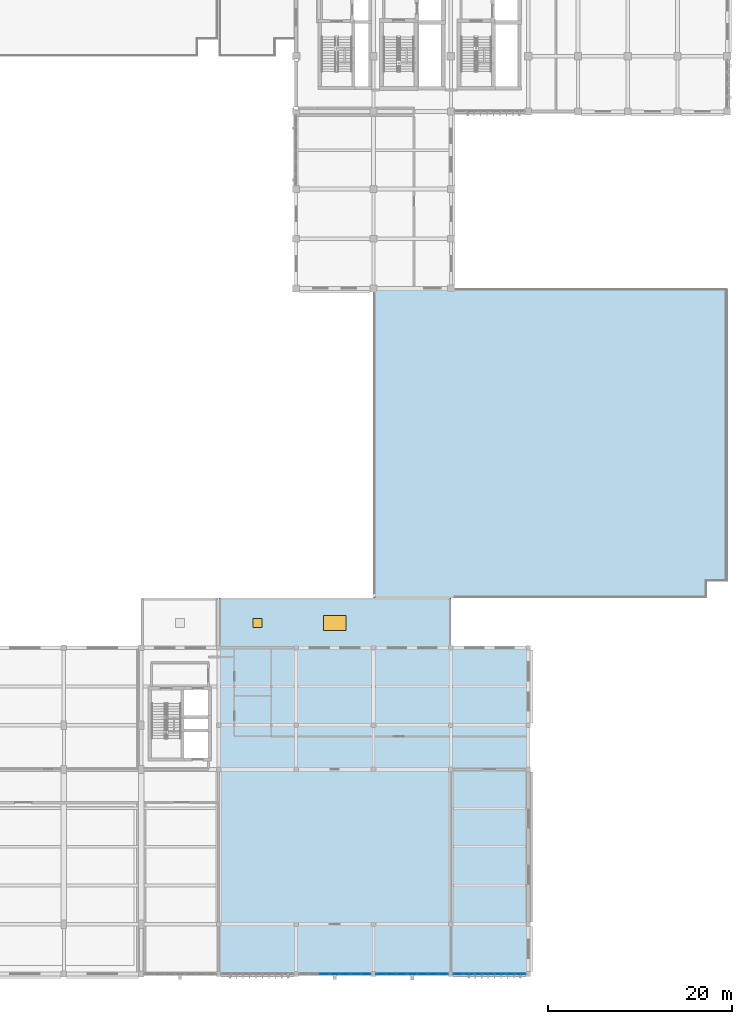
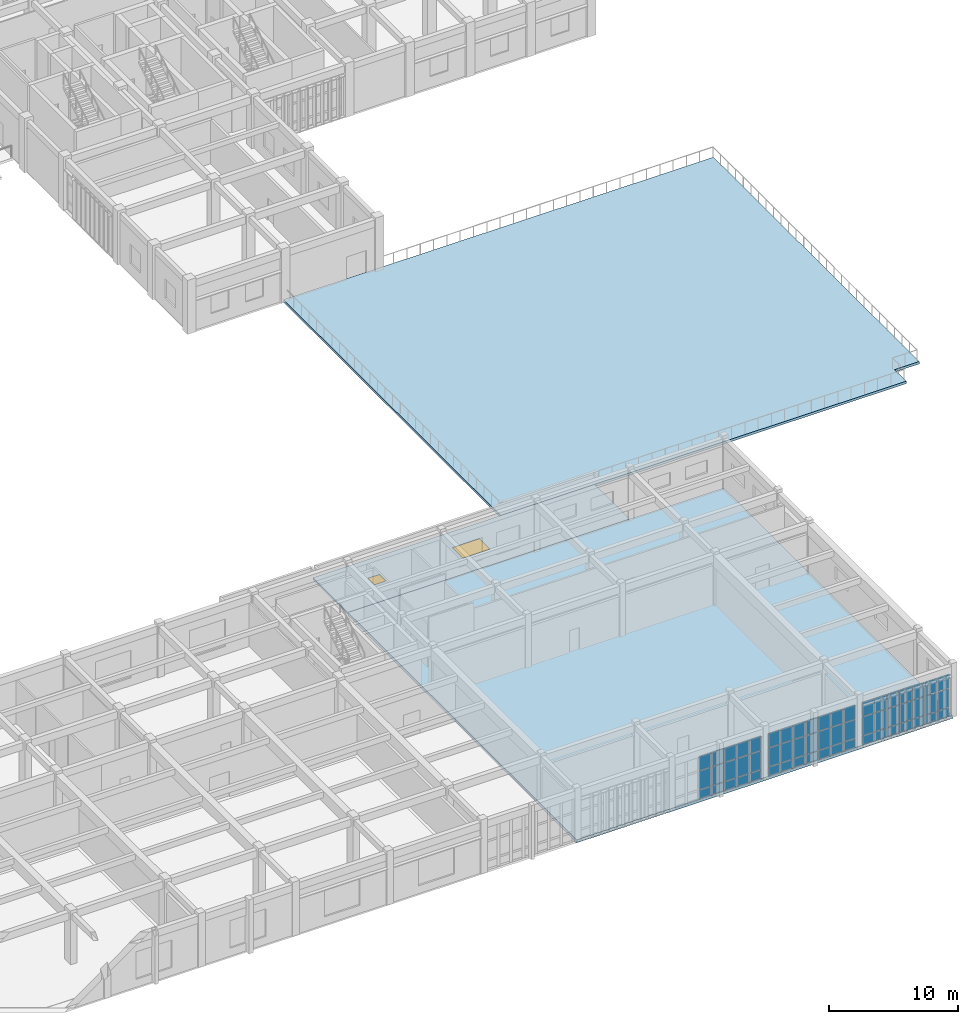
# One storey, part 63 of 93: 57 plates, 3 slabs, 1 door, 1 window, 2 openings, 3 elements without a shape of their own.
"""IFC4 building model written with IfcOpenShell, lengths in metres."""

from ifc_helpers import new_model, si_unit, direction, frame, origin, origin_2d, place, context, subcontext, project, spatial, polyline, rectangle, outline, extrude, material, layer, layer_set, type_object, element, fill, aggregate, save


model = new_model("IFC4")

# Units and contexts
model_context = context("Model", 3, precision=1e-05, world=origin(), true_north=direction((0.0, 1.0)))
body_context = subcontext(model_context, "Body", "Model", "MODEL_VIEW")
ifc_project = project(units=[si_unit("LENGTHUNIT", "METRE"), si_unit("AREAUNIT", "SQUARE_METRE"), si_unit("VOLUMEUNIT", "CUBIC_METRE"), si_unit("PLANEANGLEUNIT", "RADIAN"), si_unit("MASSUNIT", "GRAM", prefix="KILO")], contexts=[model_context])

# Site, building, storey
site_placement = place(None, origin())
site = spatial("IfcSite", under=ifc_project, at=site_placement, CompositionType="ELEMENT")
building_placement = place(site_placement, origin())
building = spatial("IfcBuilding", under=site, at=building_placement, Name="Krzemoval Escarpment Law Courts", CompositionType="ELEMENT")
storey_placement = place(building_placement, frame((0.0, 0.0, 10.199951171875)))
storey = spatial("IfcBuildingStorey", under=building, at=storey_placement, Name="L02", CompositionType="ELEMENT", Elevation=10.199951171875)

# Curtain wall, plates
ifc_material_1 = material(Name="Aluminium 6063-T6", Category="aluminium")
ifc_layer_1 = layer(ifc_material_1, 0.239990234375)
ifc_layer_set_1 = layer_set([ifc_layer_1], Name="Aluminium 6063-T6")
curtain_wall_type = type_object("IfcCurtainWallType", Name="CW-LIBR-4800", PredefinedType="USERDEFINED", material=ifc_layer_set_1)
curtain_wall_1_placement = place(storey_placement, origin())
curtain_wall_1 = element("IfcCurtainWall", 1, at=curtain_wall_1_placement, inside=storey, type_object=curtain_wall_type, Name="Unitised Curtain Wall FCW-L02-081", ObjectType="UNITISED_CURTAIN_WALL", PredefinedType="USERDEFINED")
ifc_material_2 = material(Name="Triple Glazing IGU", Category="glass")
ifc_layer_2 = layer(ifc_material_2, 0.048095703125)
ifc_layer_set_2 = layer_set([ifc_layer_2], Name="Triple Glazing IGU")
plate_type = type_object("IfcPlateType", Name="CWP-GLZ-48", PredefinedType="CURTAIN_PANEL", material=ifc_layer_set_2)
plate_1_placement = place(storey_placement, frame((150.366943359375, 0.0, 0.074951171875), z_axis=(0.0, 0.0, 1.0), x_axis=(-1.0, 0.0, 0.0)))
plate_1 = element("IfcPlate", 2, at=plate_1_placement, type_object=plate_type, Name="FCW-L02-081 panel 1.1", PredefinedType="CURTAIN_PANEL", context=body_context, shape_type="SweptSolid", body=[
    extrude(rectangle(XDim=1.01611328125, YDim=0.048095703125, at=origin_2d()), origin(), (0.0, 0.0, 1.0), 0.78759765625),
])
plate_2_placement = place(storey_placement, frame((150.366943359375, 0.0, 0.9375), z_axis=(0.0, 0.0, 1.0), x_axis=(-1.0, 0.0, 0.0)))
plate_2 = element("IfcPlate", 3, at=plate_2_placement, type_object=plate_type, Name="FCW-L02-081 panel 1.2", PredefinedType="CURTAIN_PANEL", context=body_context, shape_type="SweptSolid", body=[
    extrude(rectangle(XDim=1.01611328125, YDim=0.048095703125, at=origin_2d()), origin(), (0.0, 0.0, 1.0), 1.72509765625),
])
plate_3_placement = place(storey_placement, frame((150.366943359375, 0.0, 2.737548828125), z_axis=(0.0, 0.0, 1.0), x_axis=(-1.0, 0.0, 0.0)))
plate_3 = element("IfcPlate", 4, at=plate_3_placement, type_object=plate_type, Name="FCW-L02-081 panel 1.3", PredefinedType="CURTAIN_PANEL", context=body_context, shape_type="SweptSolid", body=[
    extrude(rectangle(XDim=1.01611328125, YDim=0.048095703125, at=origin_2d()), origin(), (0.0, 0.0, 1.0), 1.3076171875),
])
plate_4_placement = place(storey_placement, frame((149.257080078125, 0.0, 0.074951171875), z_axis=(0.0, 0.0, 1.0), x_axis=(-1.0, 0.0, 0.0)))
plate_4 = element("IfcPlate", 5, at=plate_4_placement, type_object=plate_type, Name="FCW-L02-081 panel 2.1", PredefinedType="CURTAIN_PANEL", context=body_context, shape_type="SweptSolid", body=[
    extrude(rectangle(XDim=1.053466796875, YDim=0.048095703125, at=origin_2d()), origin(), (0.0, 0.0, 1.0), 0.78759765625),
])
plate_5_placement = place(storey_placement, frame((149.257080078125, 0.0, 0.9375), z_axis=(0.0, 0.0, 1.0), x_axis=(-1.0, 0.0, 0.0)))
plate_5 = element("IfcPlate", 6, at=plate_5_placement, type_object=plate_type, Name="FCW-L02-081 panel 2.2", PredefinedType="CURTAIN_PANEL", context=body_context, shape_type="SweptSolid", body=[
    extrude(rectangle(XDim=1.053466796875, YDim=0.048095703125, at=origin_2d()), origin(), (0.0, 0.0, 1.0), 1.72509765625),
])
plate_6_placement = place(storey_placement, frame((149.257080078125, 0.0, 2.737548828125), z_axis=(0.0, 0.0, 1.0), x_axis=(-1.0, 0.0, 0.0)))
plate_6 = element("IfcPlate", 7, at=plate_6_placement, type_object=plate_type, Name="FCW-L02-081 panel 2.3", PredefinedType="CURTAIN_PANEL", context=body_context, shape_type="SweptSolid", body=[
    extrude(rectangle(XDim=1.053466796875, YDim=0.048095703125, at=origin_2d()), origin(), (0.0, 0.0, 1.0), 1.3076171875),
])
plate_7_placement = place(storey_placement, frame((148.128662109375, 0.0, 0.074951171875), z_axis=(0.0, 0.0, 1.0), x_axis=(-1.0, 0.0, 0.0)))
plate_7 = element("IfcPlate", 8, at=plate_7_placement, type_object=plate_type, Name="FCW-L02-081 panel 3.1", PredefinedType="CURTAIN_PANEL", context=body_context, shape_type="SweptSolid", body=[
    extrude(rectangle(XDim=1.053466796875, YDim=0.048095703125, at=origin_2d()), origin(), (0.0, 0.0, 1.0), 0.78759765625),
])
plate_8_placement = place(storey_placement, frame((148.128662109375, 0.0, 0.9375), z_axis=(0.0, 0.0, 1.0), x_axis=(-1.0, 0.0, 0.0)))
plate_8 = element("IfcPlate", 9, at=plate_8_placement, type_object=plate_type, Name="FCW-L02-081 panel 3.2", PredefinedType="CURTAIN_PANEL", context=body_context, shape_type="SweptSolid", body=[
    extrude(rectangle(XDim=1.053466796875, YDim=0.048095703125, at=origin_2d()), origin(), (0.0, 0.0, 1.0), 1.72509765625),
])
plate_9_placement = place(storey_placement, frame((148.128662109375, 0.0, 2.737548828125), z_axis=(0.0, 0.0, 1.0), x_axis=(-1.0, 0.0, 0.0)))
plate_9 = element("IfcPlate", 10, at=plate_9_placement, type_object=plate_type, Name="FCW-L02-081 panel 3.3", PredefinedType="CURTAIN_PANEL", context=body_context, shape_type="SweptSolid", body=[
    extrude(rectangle(XDim=1.053466796875, YDim=0.048095703125, at=origin_2d()), origin(), (0.0, 0.0, 1.0), 1.3076171875),
])
plate_10_placement = place(storey_placement, frame((147.0, 0.0, 0.074951171875), z_axis=(0.0, 0.0, 1.0), x_axis=(-1.0, 0.0, 0.0)))
plate_10 = element("IfcPlate", 11, at=plate_10_placement, type_object=plate_type, Name="FCW-L02-081 panel 4.1", PredefinedType="CURTAIN_PANEL", context=body_context, shape_type="SweptSolid", body=[
    extrude(rectangle(XDim=1.053466796875, YDim=0.048095703125, at=origin_2d()), origin(), (0.0, 0.0, 1.0), 0.78759765625),
])
plate_11_placement = place(storey_placement, frame((147.0, 0.0, 0.9375), z_axis=(0.0, 0.0, 1.0), x_axis=(-1.0, 0.0, 0.0)))
plate_11 = element("IfcPlate", 12, at=plate_11_placement, type_object=plate_type, Name="FCW-L02-081 panel 4.2", PredefinedType="CURTAIN_PANEL", context=body_context, shape_type="SweptSolid", body=[
    extrude(rectangle(XDim=1.053466796875, YDim=0.048095703125, at=origin_2d()), origin(), (0.0, 0.0, 1.0), 1.72509765625),
])
plate_12_placement = place(storey_placement, frame((147.0, 0.0, 2.737548828125), z_axis=(0.0, 0.0, 1.0), x_axis=(-1.0, 0.0, 0.0)))
plate_12 = element("IfcPlate", 13, at=plate_12_placement, type_object=plate_type, Name="FCW-L02-081 panel 4.3", PredefinedType="CURTAIN_PANEL", context=body_context, shape_type="SweptSolid", body=[
    extrude(rectangle(XDim=1.053466796875, YDim=0.048095703125, at=origin_2d()), origin(), (0.0, 0.0, 1.0), 1.3076171875),
])
plate_13_placement = place(storey_placement, frame((145.871337890625, 0.0, 0.074951171875), z_axis=(0.0, 0.0, 1.0), x_axis=(-1.0, 0.0, 0.0)))
plate_13 = element("IfcPlate", 14, at=plate_13_placement, type_object=plate_type, Name="FCW-L02-081 panel 5.1", PredefinedType="CURTAIN_PANEL", context=body_context, shape_type="SweptSolid", body=[
    extrude(rectangle(XDim=1.053466796875, YDim=0.048095703125, at=origin_2d()), origin(), (0.0, 0.0, 1.0), 0.78759765625),
])
plate_14_placement = place(storey_placement, frame((145.871337890625, 0.0, 0.9375), z_axis=(0.0, 0.0, 1.0), x_axis=(-1.0, 0.0, 0.0)))
plate_14 = element("IfcPlate", 15, at=plate_14_placement, type_object=plate_type, Name="FCW-L02-081 panel 5.2", PredefinedType="CURTAIN_PANEL", context=body_context, shape_type="SweptSolid", body=[
    extrude(rectangle(XDim=1.053466796875, YDim=0.048095703125, at=origin_2d()), origin(), (0.0, 0.0, 1.0), 1.72509765625),
])
plate_15_placement = place(storey_placement, frame((145.871337890625, 0.0, 2.737548828125), z_axis=(0.0, 0.0, 1.0), x_axis=(-1.0, 0.0, 0.0)))
plate_15 = element("IfcPlate", 16, at=plate_15_placement, type_object=plate_type, Name="FCW-L02-081 panel 5.3", PredefinedType="CURTAIN_PANEL", context=body_context, shape_type="SweptSolid", body=[
    extrude(rectangle(XDim=1.053466796875, YDim=0.048095703125, at=origin_2d()), origin(), (0.0, 0.0, 1.0), 1.3076171875),
])
plate_16_placement = place(storey_placement, frame((144.742919921875, 0.0, 0.074951171875), z_axis=(0.0, 0.0, 1.0), x_axis=(-1.0, 0.0, 0.0)))
plate_16 = element("IfcPlate", 17, at=plate_16_placement, type_object=plate_type, Name="FCW-L02-081 panel 6.1", PredefinedType="CURTAIN_PANEL", context=body_context, shape_type="SweptSolid", body=[
    extrude(rectangle(XDim=1.053466796875, YDim=0.048095703125, at=origin_2d()), origin(), (0.0, 0.0, 1.0), 0.78759765625),
])
plate_17_placement = place(storey_placement, frame((144.742919921875, 0.0, 0.9375), z_axis=(0.0, 0.0, 1.0), x_axis=(-1.0, 0.0, 0.0)))
plate_17 = element("IfcPlate", 18, at=plate_17_placement, type_object=plate_type, Name="FCW-L02-081 panel 6.2", PredefinedType="CURTAIN_PANEL", context=body_context, shape_type="SweptSolid", body=[
    extrude(rectangle(XDim=1.053466796875, YDim=0.048095703125, at=origin_2d()), origin(), (0.0, 0.0, 1.0), 1.72509765625),
])
plate_18_placement = place(storey_placement, frame((144.742919921875, 0.0, 2.737548828125), z_axis=(0.0, 0.0, 1.0), x_axis=(-1.0, 0.0, 0.0)))
plate_18 = element("IfcPlate", 19, at=plate_18_placement, type_object=plate_type, Name="FCW-L02-081 panel 6.3", PredefinedType="CURTAIN_PANEL", context=body_context, shape_type="SweptSolid", body=[
    extrude(rectangle(XDim=1.053466796875, YDim=0.048095703125, at=origin_2d()), origin(), (0.0, 0.0, 1.0), 1.3076171875),
])
plate_19_placement = place(storey_placement, frame((143.633056640625, 0.0, 0.074951171875), z_axis=(0.0, 0.0, 1.0), x_axis=(-1.0, 0.0, 0.0)))
plate_19 = element("IfcPlate", 20, at=plate_19_placement, type_object=plate_type, Name="FCW-L02-081 panel 7.1", PredefinedType="CURTAIN_PANEL", context=body_context, shape_type="SweptSolid", body=[
    extrude(rectangle(XDim=1.01611328125, YDim=0.048095703125, at=origin_2d()), origin(), (0.0, 0.0, 1.0), 0.78759765625),
])
plate_20_placement = place(storey_placement, frame((143.633056640625, 0.0, 0.9375), z_axis=(0.0, 0.0, 1.0), x_axis=(-1.0, 0.0, 0.0)))
plate_20 = element("IfcPlate", 21, at=plate_20_placement, type_object=plate_type, Name="FCW-L02-081 panel 7.2", PredefinedType="CURTAIN_PANEL", context=body_context, shape_type="SweptSolid", body=[
    extrude(rectangle(XDim=1.01611328125, YDim=0.048095703125, at=origin_2d()), origin(), (0.0, 0.0, 1.0), 1.72509765625),
])
plate_21_placement = place(storey_placement, frame((143.633056640625, 0.0, 2.737548828125), z_axis=(0.0, 0.0, 1.0), x_axis=(-1.0, 0.0, 0.0)))
plate_21 = element("IfcPlate", 22, at=plate_21_placement, type_object=plate_type, Name="FCW-L02-081 panel 7.3", PredefinedType="CURTAIN_PANEL", context=body_context, shape_type="SweptSolid", body=[
    extrude(rectangle(XDim=1.01611328125, YDim=0.048095703125, at=origin_2d()), origin(), (0.0, 0.0, 1.0), 1.3076171875),
])
aggregate(curtain_wall_1, [plate_1, plate_2, plate_3, plate_4, plate_5, plate_6, plate_7, plate_8, plate_9, plate_10, plate_11, plate_12, plate_13, plate_14, plate_15, plate_16, plate_17, plate_18, plate_19, plate_20, plate_21])

curtain_wall_2_placement = place(storey_placement, origin())
curtain_wall_2 = element("IfcCurtainWall", 23, at=curtain_wall_2_placement, inside=storey, type_object=curtain_wall_type, Name="Unitised Curtain Wall FCW-L02-082", ObjectType="UNITISED_CURTAIN_WALL", PredefinedType="USERDEFINED")
plate_22_placement = place(storey_placement, frame((141.967041015625, 0.0, 0.074951171875), z_axis=(0.0, 0.0, 1.0), x_axis=(-1.0, 0.0, 0.0)))
plate_22 = element("IfcPlate", 24, at=plate_22_placement, type_object=plate_type, Name="FCW-L02-082 panel 1.1", PredefinedType="CURTAIN_PANEL", context=body_context, shape_type="SweptSolid", body=[
    extrude(rectangle(XDim=1.01611328125, YDim=0.048095703125, at=origin_2d()), origin(), (0.0, 0.0, 1.0), 0.78759765625),
])
plate_23_placement = place(storey_placement, frame((141.967041015625, 0.0, 0.9375), z_axis=(0.0, 0.0, 1.0), x_axis=(-1.0, 0.0, 0.0)))
plate_23 = element("IfcPlate", 25, at=plate_23_placement, type_object=plate_type, Name="FCW-L02-082 panel 1.2", PredefinedType="CURTAIN_PANEL", context=body_context, shape_type="SweptSolid", body=[
    extrude(rectangle(XDim=1.01611328125, YDim=0.048095703125, at=origin_2d()), origin(), (0.0, 0.0, 1.0), 1.72509765625),
])
plate_24_placement = place(storey_placement, frame((141.967041015625, 0.0, 2.737548828125), z_axis=(0.0, 0.0, 1.0), x_axis=(-1.0, 0.0, 0.0)))
plate_24 = element("IfcPlate", 26, at=plate_24_placement, type_object=plate_type, Name="FCW-L02-082 panel 1.3", PredefinedType="CURTAIN_PANEL", context=body_context, shape_type="SweptSolid", body=[
    extrude(rectangle(XDim=1.01611328125, YDim=0.048095703125, at=origin_2d()), origin(), (0.0, 0.0, 1.0), 1.3076171875),
])
plate_25_placement = place(storey_placement, frame((140.857177734375, 0.0, 0.074951171875), z_axis=(0.0, 0.0, 1.0), x_axis=(-1.0, 0.0, 0.0)))
plate_25 = element("IfcPlate", 27, at=plate_25_placement, type_object=plate_type, Name="FCW-L02-082 panel 2.1", PredefinedType="CURTAIN_PANEL", context=body_context, shape_type="SweptSolid", body=[
    extrude(rectangle(XDim=1.053466796875, YDim=0.048095703125, at=origin_2d()), origin(), (0.0, 0.0, 1.0), 0.78759765625),
])
plate_26_placement = place(storey_placement, frame((140.857177734375, 0.0, 0.9375), z_axis=(0.0, 0.0, 1.0), x_axis=(-1.0, 0.0, 0.0)))
plate_26 = element("IfcPlate", 28, at=plate_26_placement, type_object=plate_type, Name="FCW-L02-082 panel 2.2", PredefinedType="CURTAIN_PANEL", context=body_context, shape_type="SweptSolid", body=[
    extrude(rectangle(XDim=1.053466796875, YDim=0.048095703125, at=origin_2d()), origin(), (0.0, 0.0, 1.0), 1.72509765625),
])
plate_27_placement = place(storey_placement, frame((140.857177734375, 0.0, 2.737548828125), z_axis=(0.0, 0.0, 1.0), x_axis=(-1.0, 0.0, 0.0)))
plate_27 = element("IfcPlate", 29, at=plate_27_placement, type_object=plate_type, Name="FCW-L02-082 panel 2.3", PredefinedType="CURTAIN_PANEL", context=body_context, shape_type="SweptSolid", body=[
    extrude(rectangle(XDim=1.053466796875, YDim=0.048095703125, at=origin_2d()), origin(), (0.0, 0.0, 1.0), 1.3076171875),
])
plate_28_placement = place(storey_placement, frame((139.728515625, 0.0, 0.074951171875), z_axis=(0.0, 0.0, 1.0), x_axis=(-1.0, 0.0, 0.0)))
plate_28 = element("IfcPlate", 30, at=plate_28_placement, type_object=plate_type, Name="FCW-L02-082 panel 3.1", PredefinedType="CURTAIN_PANEL", context=body_context, shape_type="SweptSolid", body=[
    extrude(rectangle(XDim=1.053466796875, YDim=0.048095703125, at=origin_2d()), origin(), (0.0, 0.0, 1.0), 0.78759765625),
])
plate_29_placement = place(storey_placement, frame((139.728515625, 0.0, 0.9375), z_axis=(0.0, 0.0, 1.0), x_axis=(-1.0, 0.0, 0.0)))
plate_29 = element("IfcPlate", 31, at=plate_29_placement, type_object=plate_type, Name="FCW-L02-082 panel 3.2", PredefinedType="CURTAIN_PANEL", context=body_context, shape_type="SweptSolid", body=[
    extrude(rectangle(XDim=1.053466796875, YDim=0.048095703125, at=origin_2d()), origin(), (0.0, 0.0, 1.0), 1.72509765625),
])
plate_30_placement = place(storey_placement, frame((139.728515625, 0.0, 2.737548828125), z_axis=(0.0, 0.0, 1.0), x_axis=(-1.0, 0.0, 0.0)))
plate_30 = element("IfcPlate", 32, at=plate_30_placement, type_object=plate_type, Name="FCW-L02-082 panel 3.3", PredefinedType="CURTAIN_PANEL", context=body_context, shape_type="SweptSolid", body=[
    extrude(rectangle(XDim=1.053466796875, YDim=0.048095703125, at=origin_2d()), origin(), (0.0, 0.0, 1.0), 1.3076171875),
])
plate_31_placement = place(storey_placement, frame((138.60009765625, 0.0, 0.074951171875), z_axis=(0.0, 0.0, 1.0), x_axis=(-1.0, 0.0, 0.0)))
plate_31 = element("IfcPlate", 33, at=plate_31_placement, type_object=plate_type, Name="FCW-L02-082 panel 4.1", PredefinedType="CURTAIN_PANEL", context=body_context, shape_type="SweptSolid", body=[
    extrude(rectangle(XDim=1.053466796875, YDim=0.048095703125, at=origin_2d()), origin(), (0.0, 0.0, 1.0), 0.78759765625),
])
plate_32_placement = place(storey_placement, frame((138.60009765625, 0.0, 0.9375), z_axis=(0.0, 0.0, 1.0), x_axis=(-1.0, 0.0, 0.0)))
plate_32 = element("IfcPlate", 34, at=plate_32_placement, type_object=plate_type, Name="FCW-L02-082 panel 4.2", PredefinedType="CURTAIN_PANEL", context=body_context, shape_type="SweptSolid", body=[
    extrude(rectangle(XDim=1.053466796875, YDim=0.048095703125, at=origin_2d()), origin(), (0.0, 0.0, 1.0), 1.72509765625),
])
plate_33_placement = place(storey_placement, frame((138.60009765625, 0.0, 2.737548828125), z_axis=(0.0, 0.0, 1.0), x_axis=(-1.0, 0.0, 0.0)))
plate_33 = element("IfcPlate", 35, at=plate_33_placement, type_object=plate_type, Name="FCW-L02-082 panel 4.3", PredefinedType="CURTAIN_PANEL", context=body_context, shape_type="SweptSolid", body=[
    extrude(rectangle(XDim=1.053466796875, YDim=0.048095703125, at=origin_2d()), origin(), (0.0, 0.0, 1.0), 1.3076171875),
])
plate_34_placement = place(storey_placement, frame((137.471435546875, 0.0, 0.074951171875), z_axis=(0.0, 0.0, 1.0), x_axis=(-1.0, 0.0, 0.0)))
plate_34 = element("IfcPlate", 36, at=plate_34_placement, type_object=plate_type, Name="FCW-L02-082 panel 5.1", PredefinedType="CURTAIN_PANEL", context=body_context, shape_type="SweptSolid", body=[
    extrude(rectangle(XDim=1.053466796875, YDim=0.048095703125, at=origin_2d()), origin(), (0.0, 0.0, 1.0), 0.78759765625),
])
plate_35_placement = place(storey_placement, frame((137.471435546875, 0.0, 0.9375), z_axis=(0.0, 0.0, 1.0), x_axis=(-1.0, 0.0, 0.0)))
plate_35 = element("IfcPlate", 37, at=plate_35_placement, type_object=plate_type, Name="FCW-L02-082 panel 5.2", PredefinedType="CURTAIN_PANEL", context=body_context, shape_type="SweptSolid", body=[
    extrude(rectangle(XDim=1.053466796875, YDim=0.048095703125, at=origin_2d()), origin(), (0.0, 0.0, 1.0), 1.72509765625),
])
plate_36_placement = place(storey_placement, frame((137.471435546875, 0.0, 2.737548828125), z_axis=(0.0, 0.0, 1.0), x_axis=(-1.0, 0.0, 0.0)))
plate_36 = element("IfcPlate", 38, at=plate_36_placement, type_object=plate_type, Name="FCW-L02-082 panel 5.3", PredefinedType="CURTAIN_PANEL", context=body_context, shape_type="SweptSolid", body=[
    extrude(rectangle(XDim=1.053466796875, YDim=0.048095703125, at=origin_2d()), origin(), (0.0, 0.0, 1.0), 1.3076171875),
])
plate_37_placement = place(storey_placement, frame((136.3427734375, 0.0, 0.074951171875), z_axis=(0.0, 0.0, 1.0), x_axis=(-1.0, 0.0, 0.0)))
plate_37 = element("IfcPlate", 39, at=plate_37_placement, type_object=plate_type, Name="FCW-L02-082 panel 6.1", PredefinedType="CURTAIN_PANEL", context=body_context, shape_type="SweptSolid", body=[
    extrude(rectangle(XDim=1.053466796875, YDim=0.048095703125, at=origin_2d()), origin(), (0.0, 0.0, 1.0), 0.78759765625),
])
plate_38_placement = place(storey_placement, frame((136.3427734375, 0.0, 0.9375), z_axis=(0.0, 0.0, 1.0), x_axis=(-1.0, 0.0, 0.0)))
plate_38 = element("IfcPlate", 40, at=plate_38_placement, type_object=plate_type, Name="FCW-L02-082 panel 6.2", PredefinedType="CURTAIN_PANEL", context=body_context, shape_type="SweptSolid", body=[
    extrude(rectangle(XDim=1.053466796875, YDim=0.048095703125, at=origin_2d()), origin(), (0.0, 0.0, 1.0), 1.72509765625),
])
plate_39_placement = place(storey_placement, frame((136.3427734375, 0.0, 2.737548828125), z_axis=(0.0, 0.0, 1.0), x_axis=(-1.0, 0.0, 0.0)))
plate_39 = element("IfcPlate", 41, at=plate_39_placement, type_object=plate_type, Name="FCW-L02-082 panel 6.3", PredefinedType="CURTAIN_PANEL", context=body_context, shape_type="SweptSolid", body=[
    extrude(rectangle(XDim=1.053466796875, YDim=0.048095703125, at=origin_2d()), origin(), (0.0, 0.0, 1.0), 1.3076171875),
])
plate_40_placement = place(storey_placement, frame((135.233154296875, 0.0, 0.074951171875), z_axis=(0.0, 0.0, 1.0), x_axis=(-1.0, 0.0, 0.0)))
plate_40 = element("IfcPlate", 42, at=plate_40_placement, type_object=plate_type, Name="FCW-L02-082 panel 7.1", PredefinedType="CURTAIN_PANEL", context=body_context, shape_type="SweptSolid", body=[
    extrude(rectangle(XDim=1.01611328125, YDim=0.048095703125, at=origin_2d()), origin(), (0.0, 0.0, 1.0), 0.78759765625),
])
plate_41_placement = place(storey_placement, frame((135.233154296875, 0.0, 0.9375), z_axis=(0.0, 0.0, 1.0), x_axis=(-1.0, 0.0, 0.0)))
plate_41 = element("IfcPlate", 43, at=plate_41_placement, type_object=plate_type, Name="FCW-L02-082 panel 7.2", PredefinedType="CURTAIN_PANEL", context=body_context, shape_type="SweptSolid", body=[
    extrude(rectangle(XDim=1.01611328125, YDim=0.048095703125, at=origin_2d()), origin(), (0.0, 0.0, 1.0), 1.72509765625),
])
plate_42_placement = place(storey_placement, frame((135.233154296875, 0.0, 2.737548828125), z_axis=(0.0, 0.0, 1.0), x_axis=(-1.0, 0.0, 0.0)))
plate_42 = element("IfcPlate", 44, at=plate_42_placement, type_object=plate_type, Name="FCW-L02-082 panel 7.3", PredefinedType="CURTAIN_PANEL", context=body_context, shape_type="SweptSolid", body=[
    extrude(rectangle(XDim=1.01611328125, YDim=0.048095703125, at=origin_2d()), origin(), (0.0, 0.0, 1.0), 1.3076171875),
])
aggregate(curtain_wall_2, [plate_22, plate_23, plate_24, plate_25, plate_26, plate_27, plate_28, plate_29, plate_30, plate_31, plate_32, plate_33, plate_34, plate_35, plate_36, plate_37, plate_38, plate_39, plate_40, plate_41, plate_42])

curtain_wall_3_placement = place(storey_placement, origin())
curtain_wall_3 = element("IfcCurtainWall", 45, at=curtain_wall_3_placement, inside=storey, type_object=curtain_wall_type, Name="Unitised Curtain Wall FCW-L02-083", ObjectType="UNITISED_CURTAIN_WALL", PredefinedType="USERDEFINED")
plate_43_placement = place(storey_placement, frame((133.56689453125, 0.0, 0.074951171875), z_axis=(0.0, 0.0, 1.0), x_axis=(-1.0, 0.0, 0.0)))
plate_43 = element("IfcPlate", 46, at=plate_43_placement, type_object=plate_type, Name="FCW-L02-083 panel 1.1", PredefinedType="CURTAIN_PANEL", context=body_context, shape_type="SweptSolid", body=[
    extrude(rectangle(XDim=1.01611328125, YDim=0.048095703125, at=origin_2d()), origin(), (0.0, 0.0, 1.0), 0.78759765625),
])
plate_44_placement = place(storey_placement, frame((133.56689453125, 0.0, 0.9375), z_axis=(0.0, 0.0, 1.0), x_axis=(-1.0, 0.0, 0.0)))
plate_44 = element("IfcPlate", 47, at=plate_44_placement, type_object=plate_type, Name="FCW-L02-083 panel 1.2", PredefinedType="CURTAIN_PANEL", context=body_context, shape_type="SweptSolid", body=[
    extrude(rectangle(XDim=1.01611328125, YDim=0.048095703125, at=origin_2d()), origin(), (0.0, 0.0, 1.0), 1.72509765625),
])
plate_45_placement = place(storey_placement, frame((133.56689453125, 0.0, 2.737548828125), z_axis=(0.0, 0.0, 1.0), x_axis=(-1.0, 0.0, 0.0)))
plate_45 = element("IfcPlate", 48, at=plate_45_placement, type_object=plate_type, Name="FCW-L02-083 panel 1.3", PredefinedType="CURTAIN_PANEL", context=body_context, shape_type="SweptSolid", body=[
    extrude(rectangle(XDim=1.01611328125, YDim=0.048095703125, at=origin_2d()), origin(), (0.0, 0.0, 1.0), 1.3076171875),
])
plate_46_placement = place(storey_placement, frame((132.45703125, 0.0, 0.074951171875), z_axis=(0.0, 0.0, 1.0), x_axis=(-1.0, 0.0, 0.0)))
plate_46 = element("IfcPlate", 49, at=plate_46_placement, type_object=plate_type, Name="FCW-L02-083 panel 2.1", PredefinedType="CURTAIN_PANEL", context=body_context, shape_type="SweptSolid", body=[
    extrude(rectangle(XDim=1.053466796875, YDim=0.048095703125, at=origin_2d()), origin(), (0.0, 0.0, 1.0), 0.78759765625),
])
plate_47_placement = place(storey_placement, frame((132.45703125, 0.0, 0.9375), z_axis=(0.0, 0.0, 1.0), x_axis=(-1.0, 0.0, 0.0)))
plate_47 = element("IfcPlate", 50, at=plate_47_placement, type_object=plate_type, Name="FCW-L02-083 panel 2.2", PredefinedType="CURTAIN_PANEL", context=body_context, shape_type="SweptSolid", body=[
    extrude(rectangle(XDim=1.053466796875, YDim=0.048095703125, at=origin_2d()), origin(), (0.0, 0.0, 1.0), 1.72509765625),
])
plate_48_placement = place(storey_placement, frame((132.45703125, 0.0, 2.737548828125), z_axis=(0.0, 0.0, 1.0), x_axis=(-1.0, 0.0, 0.0)))
plate_48 = element("IfcPlate", 51, at=plate_48_placement, type_object=plate_type, Name="FCW-L02-083 panel 2.3", PredefinedType="CURTAIN_PANEL", context=body_context, shape_type="SweptSolid", body=[
    extrude(rectangle(XDim=1.053466796875, YDim=0.048095703125, at=origin_2d()), origin(), (0.0, 0.0, 1.0), 1.3076171875),
])
plate_49_placement = place(storey_placement, frame((131.32861328125, 0.0, 0.074951171875), z_axis=(0.0, 0.0, 1.0), x_axis=(-1.0, 0.0, 0.0)))
plate_49 = element("IfcPlate", 52, at=plate_49_placement, type_object=plate_type, Name="FCW-L02-083 panel 3.1", PredefinedType="CURTAIN_PANEL", context=body_context, shape_type="SweptSolid", body=[
    extrude(rectangle(XDim=1.053466796875, YDim=0.048095703125, at=origin_2d()), origin(), (0.0, 0.0, 1.0), 0.78759765625),
])
plate_50_placement = place(storey_placement, frame((131.32861328125, 0.0, 0.9375), z_axis=(0.0, 0.0, 1.0), x_axis=(-1.0, 0.0, 0.0)))
plate_50 = element("IfcPlate", 53, at=plate_50_placement, type_object=plate_type, Name="FCW-L02-083 panel 3.2", PredefinedType="CURTAIN_PANEL", context=body_context, shape_type="SweptSolid", body=[
    extrude(rectangle(XDim=1.053466796875, YDim=0.048095703125, at=origin_2d()), origin(), (0.0, 0.0, 1.0), 1.72509765625),
])
plate_51_placement = place(storey_placement, frame((131.32861328125, 0.0, 2.737548828125), z_axis=(0.0, 0.0, 1.0), x_axis=(-1.0, 0.0, 0.0)))
plate_51 = element("IfcPlate", 54, at=plate_51_placement, type_object=plate_type, Name="FCW-L02-083 panel 3.3", PredefinedType="CURTAIN_PANEL", context=body_context, shape_type="SweptSolid", body=[
    extrude(rectangle(XDim=1.053466796875, YDim=0.048095703125, at=origin_2d()), origin(), (0.0, 0.0, 1.0), 1.3076171875),
])
plate_52_placement = place(storey_placement, frame((130.199951171875, 0.0, 0.074951171875), z_axis=(0.0, 0.0, 1.0), x_axis=(-1.0, 0.0, 0.0)))
plate_52 = element("IfcPlate", 55, at=plate_52_placement, type_object=plate_type, Name="FCW-L02-083 panel 4.1", PredefinedType="CURTAIN_PANEL", context=body_context, shape_type="SweptSolid", body=[
    extrude(rectangle(XDim=1.053466796875, YDim=0.048095703125, at=origin_2d()), origin(), (0.0, 0.0, 1.0), 0.78759765625),
])
plate_53_placement = place(storey_placement, frame((130.199951171875, 0.0, 0.9375), z_axis=(0.0, 0.0, 1.0), x_axis=(-1.0, 0.0, 0.0)))
plate_53 = element("IfcPlate", 56, at=plate_53_placement, type_object=plate_type, Name="FCW-L02-083 panel 4.2", PredefinedType="CURTAIN_PANEL", context=body_context, shape_type="SweptSolid", body=[
    extrude(rectangle(XDim=1.053466796875, YDim=0.048095703125, at=origin_2d()), origin(), (0.0, 0.0, 1.0), 1.72509765625),
])
plate_54_placement = place(storey_placement, frame((130.199951171875, 0.0, 2.737548828125), z_axis=(0.0, 0.0, 1.0), x_axis=(-1.0, 0.0, 0.0)))
plate_54 = element("IfcPlate", 57, at=plate_54_placement, type_object=plate_type, Name="FCW-L02-083 panel 4.3", PredefinedType="CURTAIN_PANEL", context=body_context, shape_type="SweptSolid", body=[
    extrude(rectangle(XDim=1.053466796875, YDim=0.048095703125, at=origin_2d()), origin(), (0.0, 0.0, 1.0), 1.3076171875),
])
plate_55_placement = place(storey_placement, frame((129.071533203125, 0.0, 0.074951171875), z_axis=(0.0, 0.0, 1.0), x_axis=(-1.0, 0.0, 0.0)))
plate_55 = element("IfcPlate", 58, at=plate_55_placement, type_object=plate_type, Name="FCW-L02-083 panel 5.1", PredefinedType="CURTAIN_PANEL", context=body_context, shape_type="SweptSolid", body=[
    extrude(rectangle(XDim=1.053466796875, YDim=0.048095703125, at=origin_2d()), origin(), (0.0, 0.0, 1.0), 0.78759765625),
])
plate_56_placement = place(storey_placement, frame((129.071533203125, 0.0, 0.9375), z_axis=(0.0, 0.0, 1.0), x_axis=(-1.0, 0.0, 0.0)))
plate_56 = element("IfcPlate", 59, at=plate_56_placement, type_object=plate_type, Name="FCW-L02-083 panel 5.2", PredefinedType="CURTAIN_PANEL", context=body_context, shape_type="SweptSolid", body=[
    extrude(rectangle(XDim=1.053466796875, YDim=0.048095703125, at=origin_2d()), origin(), (0.0, 0.0, 1.0), 1.72509765625),
])
plate_57_placement = place(storey_placement, frame((129.071533203125, 0.0, 2.737548828125), z_axis=(0.0, 0.0, 1.0), x_axis=(-1.0, 0.0, 0.0)))
plate_57 = element("IfcPlate", 60, at=plate_57_placement, type_object=plate_type, Name="FCW-L02-083 panel 5.3", PredefinedType="CURTAIN_PANEL", context=body_context, shape_type="SweptSolid", body=[
    extrude(rectangle(XDim=1.053466796875, YDim=0.048095703125, at=origin_2d()), origin(), (0.0, 0.0, 1.0), 1.3076171875),
])
aggregate(curtain_wall_3, [plate_43, plate_44, plate_45, plate_46, plate_47, plate_48, plate_49, plate_50, plate_51, plate_52, plate_53, plate_54, plate_55, plate_56, plate_57])

# Slab
ifc_material_3 = material(Name="Concrete C50/60", Category="concrete")
ifc_layer_3 = layer(ifc_material_3, 0.280029296875)
ifc_layer_set_3 = layer_set([ifc_layer_3], Name="Concrete C50/60")
slab_type_1 = type_object("IfcSlabType", Name="SL-PT-280", PredefinedType="FLOOR", material=ifc_layer_set_3)
slab_1_placement = place(storey_placement, frame((0.0, 0.0, -0.280029296875)))
element("IfcSlab", 61, at=slab_1_placement, inside=storey, type_object=slab_type_1, Name="Floor Slab SL-L02-V3-032", PredefinedType="FLOOR", context=body_context, shape_type="SweptSolid", body=[
    extrude(outline(polyline([(151.199951171875, 35.39990234375), (151.199951171875, 0.0), (117.639892578125, 0.0), (117.639892578125, 35.39990234375), (151.199951171875, 35.39990234375)])), origin(), (0.0, 0.0, 1.0), 0.280029296875),
])

# Slab, openings, door, window
ifc_material_4 = material(Name="Concrete C40/50", Category="concrete")
ifc_layer_4 = layer(ifc_material_4, 0.179931640625)
ifc_layer_set_4 = layer_set([ifc_layer_4], Name="Concrete C40/50")
slab_type_2 = type_object("IfcSlabType", Name="SL-ROOF-FLAT180", PredefinedType="ROOF", material=ifc_layer_set_4)
slab_2_placement = place(storey_placement, frame((0.0, 0.0, -0.179931640625)))
slab_2 = element("IfcSlab", 62, at=slab_2_placement, inside=storey, type_object=slab_type_2, Name="Flat Roof Slab ROOF-V6LK-L02E", PredefinedType="ROOF", context=body_context, shape_type="SweptSolid", body=[
    extrude(outline(polyline([(142.800048828125, 40.800048828125), (142.800048828125, 35.39990234375), (117.639892578125, 35.39990234375), (117.639892578125, 40.800048828125), (142.800048828125, 40.800048828125)])), origin(), (0.0, 0.0, 1.0), 0.179931640625),
])
opening_1_placement = place(slab_2_placement, frame((130.199951171875, 38.10009765625, 0.0)))
opening_1 = element("IfcOpeningElement", 63, at=opening_1_placement, cuts=slab_2, Name="Opening SK-03", PredefinedType="OPENING", context=body_context, shape_type="SweptSolid", body=[
    extrude(rectangle(XDim=2.39990234375, YDim=1.60009765625, at=origin_2d()), frame((0.0, 0.0, -0.015)), (0.0, 0.0, 1.0), 0.20993),
])
opening_2_placement = place(slab_2_placement, frame((121.800048828125, 38.10009765625, 0.0)))
opening_2 = element("IfcOpeningElement", 64, at=opening_2_placement, cuts=slab_2, Name="Opening HT-04", PredefinedType="OPENING", context=body_context, shape_type="SweptSolid", body=[
    extrude(rectangle(XDim=1.0, YDim=1.0, at=origin_2d()), frame((0.0, 0.0, -0.015)), (0.0, 0.0, 1.0), 0.20993),
])
ifc_material_5 = material(Name="Thermally Broken Aluminium and Laminated Safety Glass", Category="aluminium")
door_type = type_object("IfcDoorType", Name="DR-HT-1000x1000", OperationType="SINGLE_SWING_LEFT", PredefinedType="TRAPDOOR", material=ifc_material_5)
door_placement = place(opening_2_placement, frame((0.0, 0.0, 0.1298828125)))
door = element("IfcDoor", 65, at=door_placement, inside=storey, type_object=door_type, Name="Roof Access Hatch HT-04", OperationType="SINGLE_SWING_LEFT", OverallHeight=1.0, OverallWidth=1.0, PredefinedType="TRAPDOOR", context=body_context, shape_type="SweptSolid", body=[
    extrude(rectangle(XDim=1.0, YDim=1.0, at=origin_2d()), origin(), (0.0, 0.0, 1.0), 0.050048828125),
])
fill(opening_2, door)
ifc_material_6 = material(Name="Thermally Broken Aluminium Frame with Triple Low-E Acoustic Glass", Category="aluminium")
window_type = type_object("IfcWindowType", Name="WN-SKY-2400x1600", PartitioningType="SINGLE_PANEL", PredefinedType="SKYLIGHT", material=ifc_material_6)
window_placement = place(opening_1_placement, frame((0.0, 0.0, 0.1298828125)))
window = element("IfcWindow", 66, at=window_placement, inside=storey, type_object=window_type, Name="Roof Skylight SK-03", OverallHeight=1.60009765625, OverallWidth=2.39990234375, PartitioningType="SINGLE_PANEL", PredefinedType="SKYLIGHT", context=body_context, shape_type="SweptSolid", body=[
    extrude(rectangle(XDim=2.39990234375, YDim=1.60009765625, at=origin_2d()), origin(), (0.0, 0.0, 1.0), 0.050048828125),
])
fill(opening_1, window)

# Slab
ifc_material_7 = material(Name="Concrete C40/50", Category="concrete")
ifc_layer_5 = layer(ifc_material_7, 0.22998046875)
ifc_layer_set_5 = layer_set([ifc_layer_5], Name="Concrete C40/50")
slab_type_3 = type_object("IfcSlabType", Name="SL-TER-320", PredefinedType="ROOF", material=ifc_layer_set_5)
slab_3_placement = place(storey_placement, frame((0.0, 0.0, -0.22998046875)))
element("IfcSlab", 67, at=slab_3_placement, inside=storey, type_object=slab_type_3, Name="Planted Courtyard Roof Garden", PredefinedType="ROOF", context=body_context, shape_type="SweptSolid", body=[
    extrude(outline(polyline([(134.39990234375, 74.39990234375), (172.800048828125, 74.39990234375), (172.800048828125, 42.60009765625), (170.60009765625, 42.60009765625), (170.60009765625, 40.800048828125), (134.39990234375, 40.800048828125), (134.39990234375, 74.39990234375)])), origin(), (0.0, 0.0, 1.0), 0.22998046875),
])

save(model, "model.ifc")
